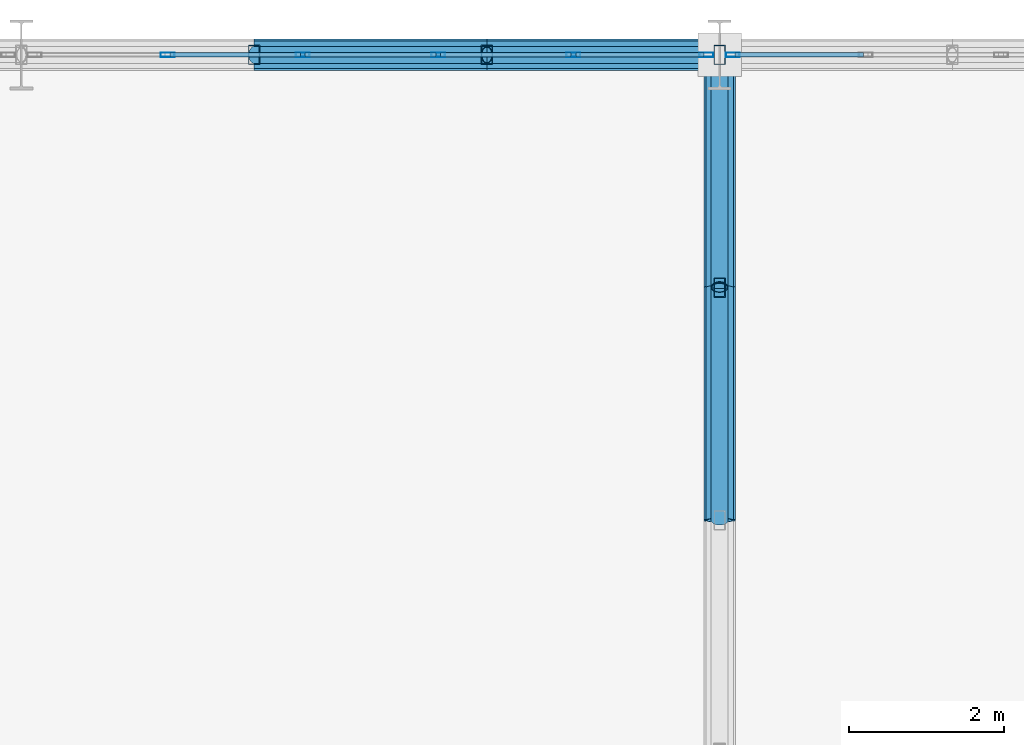
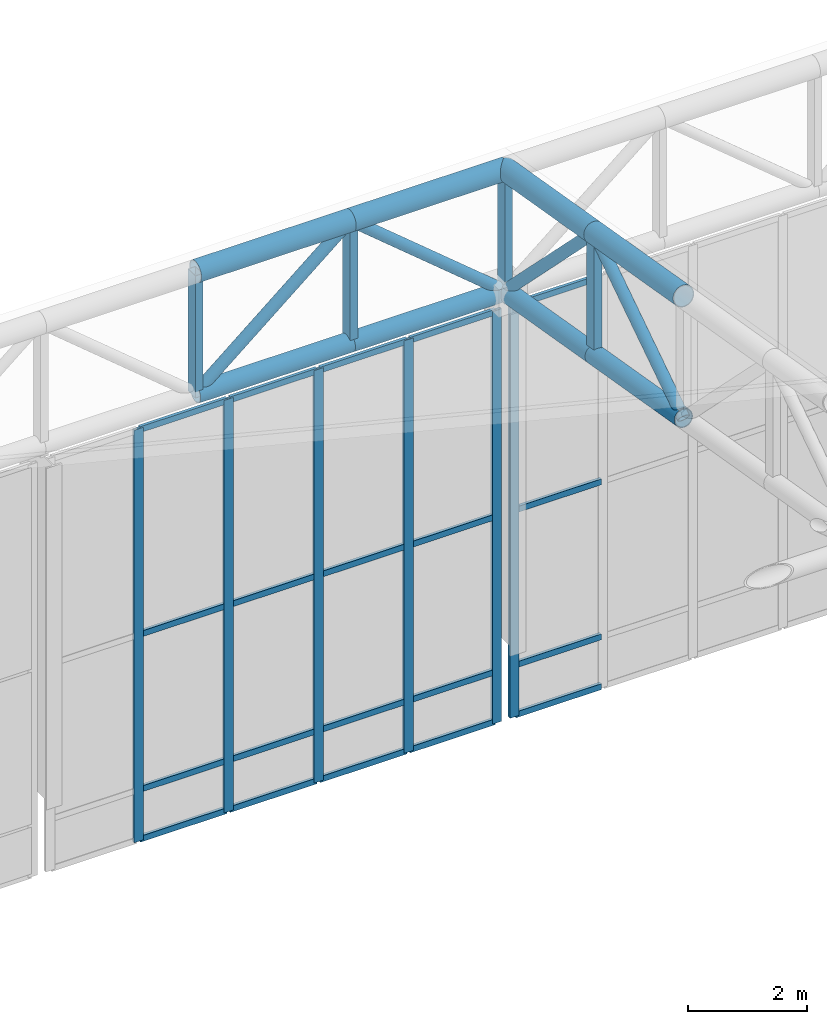
# One storey, part 123 of 239: 42 members, 2 elements without a shape of their own.
"""IFC4 building model written with IfcOpenShell, lengths in metres."""

from ifc_helpers import new_model, si_unit, direction, frame, origin, origin_2d, place, context, subcontext, project, spatial, hollow_rectangle, hollow_circle, extrude, material, material_profile, profile_set, type_object, element, aggregate, save


model = new_model("IFC4")

# Units and contexts
model_context = context("Model", 3, precision=1e-05, world=origin(), true_north=direction((0.0, 1.0)))
body_context = subcontext(model_context, "Body", "Model", "MODEL_VIEW")
ifc_project = project(units=[si_unit("LENGTHUNIT", "METRE"), si_unit("AREAUNIT", "SQUARE_METRE"), si_unit("VOLUMEUNIT", "CUBIC_METRE"), si_unit("PLANEANGLEUNIT", "RADIAN"), si_unit("MASSUNIT", "GRAM", prefix="KILO")], contexts=[model_context])

# Site, building, storey
site_placement = place(None, origin())
site = spatial("IfcSite", under=ifc_project, at=site_placement, CompositionType="ELEMENT")
building_placement = place(site_placement, origin())
building = spatial("IfcBuilding", under=site, at=building_placement, Name="Kaldris Quays Convention Centre", CompositionType="ELEMENT")
storey_placement = place(building_placement, frame((0.0, 0.0, 11.39990234375)))
storey = spatial("IfcBuildingStorey", under=building, at=storey_placement, Name="L02", CompositionType="ELEMENT", Elevation=11.39990234375)

# Curtain wall, members
ifc_material_1 = material(Name="Anodized aluminium AW-6060 and triple glazing", Category="aluminium")
curtain_wall_type = type_object("IfcCurtainWallType", Name="UNITISED CURTAIN WALL CW03", PredefinedType="NOTDEFINED", material=ifc_material_1)
curtain_wall_1_placement = place(storey_placement, origin())
curtain_wall_1 = element("IfcCurtainWall", 1, at=curtain_wall_1_placement, inside=storey, type_object=curtain_wall_type, Name="L02 Unitised Curtain Wall CW03 242", PredefinedType="NOTDEFINED")
ifc_material_2 = material(Name="Anodized aluminium AW-6060", Category="aluminium")
ifc_material_profile_1 = material_profile(ifc_material_2, hollow_rectangle(XDim=0.06005859375, YDim=0.179931640625, WallThickness=0.0048828125, at=origin_2d()), Name="RHS 180x60x5")
ifc_profile_set_1 = profile_set([ifc_material_profile_1], Name="Anodized aluminium AW-6060")
member_type_1 = type_object("IfcMemberType", Name="CURTAIN MULLION CWM2", PredefinedType="MULLION", material=ifc_profile_set_1)
member_1_placement = place(storey_placement, frame((84.884033203125, 140.0, -1.60498046875), z_axis=(0.0, 0.0, 1.0), x_axis=(0.0, 1.0, 0.0)))
member_1 = element("IfcMember", 2, at=member_1_placement, type_object=member_type_1, Name="CW03 mullion 2", PredefinedType="MULLION", context=body_context, shape_type="SweptSolid", body=[
    extrude(hollow_rectangle(XDim=0.06005859375, YDim=0.179931640625, WallThickness=0.0048828125, at=origin_2d()), origin(), (0.0, 0.0, 1.0), 8.455078125),
])
member_2_placement = place(storey_placement, frame((86.6279296875, 140.0, -1.60498046875), z_axis=(0.0, 0.0, 1.0), x_axis=(0.0, 1.0, 0.0)))
member_2 = element("IfcMember", 3, at=member_2_placement, type_object=member_type_1, Name="CW03 mullion 3", PredefinedType="MULLION", context=body_context, shape_type="SweptSolid", body=[
    extrude(hollow_rectangle(XDim=0.06005859375, YDim=0.179931640625, WallThickness=0.0048828125, at=origin_2d()), origin(), (0.0, 0.0, 1.0), 8.455078125),
])
member_3_placement = place(storey_placement, frame((88.3720703125, 140.0, -1.60498046875), z_axis=(0.0, 0.0, 1.0), x_axis=(0.0, 1.0, 0.0)))
member_3 = element("IfcMember", 4, at=member_3_placement, type_object=member_type_1, Name="CW03 mullion 4", PredefinedType="MULLION", context=body_context, shape_type="SweptSolid", body=[
    extrude(hollow_rectangle(XDim=0.06005859375, YDim=0.179931640625, WallThickness=0.0048828125, at=origin_2d()), origin(), (0.0, 0.0, 1.0), 8.455078125),
])
member_4_placement = place(storey_placement, frame((90.115966796875, 140.0, -1.60498046875), z_axis=(0.0, 0.0, 1.0), x_axis=(0.0, 1.0, 0.0)))
member_4 = element("IfcMember", 5, at=member_4_placement, type_object=member_type_1, Name="CW03 mullion 5", PredefinedType="MULLION", context=body_context, shape_type="SweptSolid", body=[
    extrude(hollow_rectangle(XDim=0.06005859375, YDim=0.179931640625, WallThickness=0.0048828125, at=origin_2d()), origin(), (0.0, 0.0, 1.0), 8.455078125),
])
member_5_placement = place(storey_placement, frame((91.830078125, 140.0, -1.60498046875), z_axis=(0.0, 0.0, 1.0), x_axis=(0.0, 1.0, 0.0)))
member_5 = element("IfcMember", 6, at=member_5_placement, type_object=member_type_1, Name="CW03 mullion 6", PredefinedType="MULLION", context=body_context, shape_type="SweptSolid", body=[
    extrude(hollow_rectangle(XDim=0.06005859375, YDim=0.179931640625, WallThickness=0.0048828125, at=origin_2d()), origin(), (0.0, 0.0, 1.0), 8.455078125),
])

# Curtain wall, member
curtain_wall_2_placement = place(storey_placement, origin())
curtain_wall_2 = element("IfcCurtainWall", 7, at=curtain_wall_2_placement, inside=storey, type_object=curtain_wall_type, Name="L02 Unitised Curtain Wall CW03 244", PredefinedType="NOTDEFINED")
member_6_placement = place(storey_placement, frame((92.169921875, 140.0, -1.60498046875), z_axis=(0.0, 0.0, 1.0), x_axis=(0.0, 1.0, 0.0)))
member_6 = element("IfcMember", 8, at=member_6_placement, type_object=member_type_1, Name="CW03 mullion 1", PredefinedType="MULLION", context=body_context, shape_type="SweptSolid", body=[
    extrude(hollow_rectangle(XDim=0.06005859375, YDim=0.179931640625, WallThickness=0.0048828125, at=origin_2d()), origin(), (0.0, 0.0, 1.0), 8.455078125),
])

# Member
ifc_material_profile_2 = material_profile(ifc_material_2, hollow_rectangle(XDim=0.06005859375, YDim=0.1201171875, WallThickness=0.00390625, at=origin_2d()), Name="RHS 120x60x4")
ifc_profile_set_2 = profile_set([ifc_material_profile_2], Name="Anodized aluminium AW-6060")
member_type_2 = type_object("IfcMemberType", Name="CURTAIN TRANSOM CWT1", PredefinedType="USERDEFINED", material=ifc_profile_set_2)
member_7_placement = place(storey_placement, frame((84.9140625, 140.0, -1.574951171875), z_axis=(1.0, 0.0, 0.0), x_axis=(0.0, 1.0, 0.0)))
member_7 = element("IfcMember", 9, at=member_7_placement, type_object=member_type_2, Name="CW03 transom 2.1", ObjectType="TRANSOM", PredefinedType="USERDEFINED", context=body_context, shape_type="SweptSolid", body=[
    extrude(hollow_rectangle(XDim=0.06005859375, YDim=0.1201171875, WallThickness=0.00390625, at=origin_2d()), origin(), (0.0, 0.0, 1.0), 1.683837890625),
])

member_8_placement = place(storey_placement, frame((84.9140625, 140.0, -0.554931640625), z_axis=(1.0, 0.0, 0.0), x_axis=(0.0, 1.0, 0.0)))
member_8 = element("IfcMember", 10, at=member_8_placement, type_object=member_type_2, Name="CW03 transom 2.2", ObjectType="TRANSOM", PredefinedType="USERDEFINED", context=body_context, shape_type="SweptSolid", body=[
    extrude(hollow_rectangle(XDim=0.06005859375, YDim=0.1201171875, WallThickness=0.00390625, at=origin_2d()), origin(), (0.0, 0.0, 1.0), 1.683837890625),
])

member_9_placement = place(storey_placement, frame((84.9140625, 140.0, 2.623046875), z_axis=(1.0, 0.0, 0.0), x_axis=(0.0, 1.0, 0.0)))
member_9 = element("IfcMember", 11, at=member_9_placement, type_object=member_type_2, Name="CW03 transom 2.3", ObjectType="TRANSOM", PredefinedType="USERDEFINED", context=body_context, shape_type="SweptSolid", body=[
    extrude(hollow_rectangle(XDim=0.06005859375, YDim=0.1201171875, WallThickness=0.00390625, at=origin_2d()), origin(), (0.0, 0.0, 1.0), 1.683837890625),
])

member_10_placement = place(storey_placement, frame((84.9140625, 140.0, 6.820068359375), z_axis=(1.0, 0.0, 0.0), x_axis=(0.0, 1.0, 0.0)))
member_10 = element("IfcMember", 12, at=member_10_placement, type_object=member_type_2, Name="CW03 transom 2.4", ObjectType="TRANSOM", PredefinedType="USERDEFINED", context=body_context, shape_type="SweptSolid", body=[
    extrude(hollow_rectangle(XDim=0.06005859375, YDim=0.1201171875, WallThickness=0.00390625, at=origin_2d()), origin(), (0.0, 0.0, 1.0), 1.683837890625),
])

member_11_placement = place(storey_placement, frame((86.657958984375, 140.0, -1.574951171875), z_axis=(1.0, 0.0, 0.0), x_axis=(0.0, 1.0, 0.0)))
member_11 = element("IfcMember", 13, at=member_11_placement, type_object=member_type_2, Name="CW03 transom 3.1", ObjectType="TRANSOM", PredefinedType="USERDEFINED", context=body_context, shape_type="SweptSolid", body=[
    extrude(hollow_rectangle(XDim=0.06005859375, YDim=0.1201171875, WallThickness=0.00390625, at=origin_2d()), origin(), (0.0, 0.0, 1.0), 1.68408203125),
])

member_12_placement = place(storey_placement, frame((86.657958984375, 140.0, -0.554931640625), z_axis=(1.0, 0.0, 0.0), x_axis=(0.0, 1.0, 0.0)))
member_12 = element("IfcMember", 14, at=member_12_placement, type_object=member_type_2, Name="CW03 transom 3.2", ObjectType="TRANSOM", PredefinedType="USERDEFINED", context=body_context, shape_type="SweptSolid", body=[
    extrude(hollow_rectangle(XDim=0.06005859375, YDim=0.1201171875, WallThickness=0.00390625, at=origin_2d()), origin(), (0.0, 0.0, 1.0), 1.68408203125),
])

member_13_placement = place(storey_placement, frame((86.657958984375, 140.0, 2.623046875), z_axis=(1.0, 0.0, 0.0), x_axis=(0.0, 1.0, 0.0)))
member_13 = element("IfcMember", 15, at=member_13_placement, type_object=member_type_2, Name="CW03 transom 3.3", ObjectType="TRANSOM", PredefinedType="USERDEFINED", context=body_context, shape_type="SweptSolid", body=[
    extrude(hollow_rectangle(XDim=0.06005859375, YDim=0.1201171875, WallThickness=0.00390625, at=origin_2d()), origin(), (0.0, 0.0, 1.0), 1.68408203125),
])

member_14_placement = place(storey_placement, frame((86.657958984375, 140.0, 6.820068359375), z_axis=(1.0, 0.0, 0.0), x_axis=(0.0, 1.0, 0.0)))
member_14 = element("IfcMember", 16, at=member_14_placement, type_object=member_type_2, Name="CW03 transom 3.4", ObjectType="TRANSOM", PredefinedType="USERDEFINED", context=body_context, shape_type="SweptSolid", body=[
    extrude(hollow_rectangle(XDim=0.06005859375, YDim=0.1201171875, WallThickness=0.00390625, at=origin_2d()), origin(), (0.0, 0.0, 1.0), 1.68408203125),
])

member_15_placement = place(storey_placement, frame((88.402099609375, 140.0, -1.574951171875), z_axis=(1.0, 0.0, 0.0), x_axis=(0.0, 1.0, 0.0)))
member_15 = element("IfcMember", 17, at=member_15_placement, type_object=member_type_2, Name="CW03 transom 4.1", ObjectType="TRANSOM", PredefinedType="USERDEFINED", context=body_context, shape_type="SweptSolid", body=[
    extrude(hollow_rectangle(XDim=0.06005859375, YDim=0.1201171875, WallThickness=0.00390625, at=origin_2d()), origin(), (0.0, 0.0, 1.0), 1.683837890625),
])

member_16_placement = place(storey_placement, frame((88.402099609375, 140.0, -0.554931640625), z_axis=(1.0, 0.0, 0.0), x_axis=(0.0, 1.0, 0.0)))
member_16 = element("IfcMember", 18, at=member_16_placement, type_object=member_type_2, Name="CW03 transom 4.2", ObjectType="TRANSOM", PredefinedType="USERDEFINED", context=body_context, shape_type="SweptSolid", body=[
    extrude(hollow_rectangle(XDim=0.06005859375, YDim=0.1201171875, WallThickness=0.00390625, at=origin_2d()), origin(), (0.0, 0.0, 1.0), 1.683837890625),
])

member_17_placement = place(storey_placement, frame((88.402099609375, 140.0, 2.623046875), z_axis=(1.0, 0.0, 0.0), x_axis=(0.0, 1.0, 0.0)))
member_17 = element("IfcMember", 19, at=member_17_placement, type_object=member_type_2, Name="CW03 transom 4.3", ObjectType="TRANSOM", PredefinedType="USERDEFINED", context=body_context, shape_type="SweptSolid", body=[
    extrude(hollow_rectangle(XDim=0.06005859375, YDim=0.1201171875, WallThickness=0.00390625, at=origin_2d()), origin(), (0.0, 0.0, 1.0), 1.683837890625),
])

member_18_placement = place(storey_placement, frame((88.402099609375, 140.0, 6.820068359375), z_axis=(1.0, 0.0, 0.0), x_axis=(0.0, 1.0, 0.0)))
member_18 = element("IfcMember", 20, at=member_18_placement, type_object=member_type_2, Name="CW03 transom 4.4", ObjectType="TRANSOM", PredefinedType="USERDEFINED", context=body_context, shape_type="SweptSolid", body=[
    extrude(hollow_rectangle(XDim=0.06005859375, YDim=0.1201171875, WallThickness=0.00390625, at=origin_2d()), origin(), (0.0, 0.0, 1.0), 1.683837890625),
])

member_19_placement = place(storey_placement, frame((90.14599609375, 140.0, -1.574951171875), z_axis=(1.0, 0.0, 0.0), x_axis=(0.0, 1.0, 0.0)))
member_19 = element("IfcMember", 21, at=member_19_placement, type_object=member_type_2, Name="CW03 transom 5.1", ObjectType="TRANSOM", PredefinedType="USERDEFINED", context=body_context, shape_type="SweptSolid", body=[
    extrude(hollow_rectangle(XDim=0.06005859375, YDim=0.1201171875, WallThickness=0.00390625, at=origin_2d()), origin(), (0.0, 0.0, 1.0), 1.654052734375),
])

member_20_placement = place(storey_placement, frame((90.14599609375, 140.0, -0.554931640625), z_axis=(1.0, 0.0, 0.0), x_axis=(0.0, 1.0, 0.0)))
member_20 = element("IfcMember", 22, at=member_20_placement, type_object=member_type_2, Name="CW03 transom 5.2", ObjectType="TRANSOM", PredefinedType="USERDEFINED", context=body_context, shape_type="SweptSolid", body=[
    extrude(hollow_rectangle(XDim=0.06005859375, YDim=0.1201171875, WallThickness=0.00390625, at=origin_2d()), origin(), (0.0, 0.0, 1.0), 1.654052734375),
])

member_21_placement = place(storey_placement, frame((90.14599609375, 140.0, 2.623046875), z_axis=(1.0, 0.0, 0.0), x_axis=(0.0, 1.0, 0.0)))
member_21 = element("IfcMember", 23, at=member_21_placement, type_object=member_type_2, Name="CW03 transom 5.3", ObjectType="TRANSOM", PredefinedType="USERDEFINED", context=body_context, shape_type="SweptSolid", body=[
    extrude(hollow_rectangle(XDim=0.06005859375, YDim=0.1201171875, WallThickness=0.00390625, at=origin_2d()), origin(), (0.0, 0.0, 1.0), 1.654052734375),
])

member_22_placement = place(storey_placement, frame((90.14599609375, 140.0, 6.820068359375), z_axis=(1.0, 0.0, 0.0), x_axis=(0.0, 1.0, 0.0)))
member_22 = element("IfcMember", 24, at=member_22_placement, type_object=member_type_2, Name="CW03 transom 5.4", ObjectType="TRANSOM", PredefinedType="USERDEFINED", context=body_context, shape_type="SweptSolid", body=[
    extrude(hollow_rectangle(XDim=0.06005859375, YDim=0.1201171875, WallThickness=0.00390625, at=origin_2d()), origin(), (0.0, 0.0, 1.0), 1.654052734375),
])

aggregate(curtain_wall_1, [member_1, member_2, member_3, member_4, member_5, member_7, member_8, member_9, member_10, member_11, member_12, member_13, member_14, member_15, member_16, member_17, member_18, member_19, member_20, member_21, member_22])

member_23_placement = place(storey_placement, frame((92.199951171875, 140.0, -1.574951171875), z_axis=(1.0, 0.0, 0.0), x_axis=(0.0, 1.0, 0.0)))
member_23 = element("IfcMember", 25, at=member_23_placement, type_object=member_type_2, Name="CW03 transom 1.1", ObjectType="TRANSOM", PredefinedType="USERDEFINED", context=body_context, shape_type="SweptSolid", body=[
    extrude(hollow_rectangle(XDim=0.06005859375, YDim=0.1201171875, WallThickness=0.00390625, at=origin_2d()), origin(), (0.0, 0.0, 1.0), 1.654052734375),
])

member_24_placement = place(storey_placement, frame((92.199951171875, 140.0, -0.554931640625), z_axis=(1.0, 0.0, 0.0), x_axis=(0.0, 1.0, 0.0)))
member_24 = element("IfcMember", 26, at=member_24_placement, type_object=member_type_2, Name="CW03 transom 1.2", ObjectType="TRANSOM", PredefinedType="USERDEFINED", context=body_context, shape_type="SweptSolid", body=[
    extrude(hollow_rectangle(XDim=0.06005859375, YDim=0.1201171875, WallThickness=0.00390625, at=origin_2d()), origin(), (0.0, 0.0, 1.0), 1.654052734375),
])

member_25_placement = place(storey_placement, frame((92.199951171875, 140.0, 2.623046875), z_axis=(1.0, 0.0, 0.0), x_axis=(0.0, 1.0, 0.0)))
member_25 = element("IfcMember", 27, at=member_25_placement, type_object=member_type_2, Name="CW03 transom 1.3", ObjectType="TRANSOM", PredefinedType="USERDEFINED", context=body_context, shape_type="SweptSolid", body=[
    extrude(hollow_rectangle(XDim=0.06005859375, YDim=0.1201171875, WallThickness=0.00390625, at=origin_2d()), origin(), (0.0, 0.0, 1.0), 1.654052734375),
])

member_26_placement = place(storey_placement, frame((92.199951171875, 140.0, 6.820068359375), z_axis=(1.0, 0.0, 0.0), x_axis=(0.0, 1.0, 0.0)))
member_26 = element("IfcMember", 28, at=member_26_placement, type_object=member_type_2, Name="CW03 transom 1.4", ObjectType="TRANSOM", PredefinedType="USERDEFINED", context=body_context, shape_type="SweptSolid", body=[
    extrude(hollow_rectangle(XDim=0.06005859375, YDim=0.1201171875, WallThickness=0.00390625, at=origin_2d()), origin(), (0.0, 0.0, 1.0), 1.654052734375),
])

aggregate(curtain_wall_2, [member_6, member_23, member_24, member_25, member_26])

# Members
ifc_material_3 = material(Name="Steel S355J2H", Category="steel")
ifc_material_profile_3 = material_profile(ifc_material_3, hollow_circle(Radius=0.203125, WallThickness=0.01611328125, at=origin_2d()), Name="CHS 406.4x16")
ifc_profile_set_3 = profile_set([ifc_material_profile_3], Name="Steel S355J2H")
member_type_3 = type_object("IfcMemberType", Name="STRUCTURAL MEMBER SC01", PredefinedType="CHORD", material=ifc_profile_set_3)
for number, where, z_axis, x_axis, name in (
    (29, (86.0, 140.0, 9.671875), (1.0, 0.0, 0.0), (0.0, 1.0, 0.0), "SF-V1 Top Chord X 317"),
    (30, (89.0, 140.0, 9.671875), (1.0, 0.0, 0.0), (0.0, 1.0, 0.0), "SF-V1 Top Chord X 318"),
):
    element("IfcMember", number, at=place(storey_placement, frame(where, z_axis=z_axis, x_axis=x_axis)), inside=storey, type_object=member_type_3, Name=name, PredefinedType="CHORD", context=body_context, shape_type="SweptSolid", body=[
        extrude(hollow_circle(Radius=0.203125, WallThickness=0.01611328125, at=origin_2d()), origin(), (0.0, 0.0, 1.0), 3.0),
    ])
for number, where, z_axis, x_axis, name in (
    (31, (92.0, 134.0, 10.700439453125), (0.0, 0.98562912375, -0.168923741424), (-1.0, 0.0, 0.0), "SF-V1 Top Chord Y 475"),
    (32, (92.0, 137.0, 10.186279296875), (0.0, 0.985615766076, -0.169001661712), (-1.0, 0.0, 0.0), "SF-V1 Top Chord Y 476"),
):
    element("IfcMember", number, at=place(storey_placement, frame(where, z_axis=z_axis, x_axis=x_axis)), inside=storey, type_object=member_type_3, Name=name, PredefinedType="CHORD", context=body_context, shape_type="SweptSolid", body=[
        extrude(hollow_circle(Radius=0.203125, WallThickness=0.01611328125, at=origin_2d()), origin(), (0.0, 0.0, 1.0), 3.043701171875),
    ])
ifc_material_profile_4 = material_profile(ifc_material_3, hollow_circle(Radius=0.177734375, WallThickness=0.01611328125, at=origin_2d()), Name="CHS 355.6x16")
ifc_profile_set_4 = profile_set([ifc_material_profile_4], Name="Steel S355J2H")
member_type_4 = type_object("IfcMemberType", Name="STRUCTURAL MEMBER SC02", PredefinedType="CHORD", material=ifc_profile_set_4)
for number, where, z_axis, x_axis, name in (
    (33, (86.0, 140.0, 7.171875), (1.0, 0.0, 0.0), (0.0, 1.0, 0.0), "SF-V1 Bottom Chord X 317"),
    (34, (89.0, 140.0, 7.171875), (1.0, 0.0, 0.0), (0.0, 1.0, 0.0), "SF-V1 Bottom Chord X 318"),
):
    element("IfcMember", number, at=place(storey_placement, frame(where, z_axis=z_axis, x_axis=x_axis)), inside=storey, type_object=member_type_4, Name=name, PredefinedType="CHORD", context=body_context, shape_type="SweptSolid", body=[
        extrude(hollow_circle(Radius=0.177734375, WallThickness=0.01611328125, at=origin_2d()), origin(), (0.0, 0.0, 1.0), 3.0),
    ])
for number, where, z_axis, x_axis, name in (
    (35, (92.0, 134.0, 8.200439453125), (0.0, 0.98562912375, -0.168923741424), (-1.0, 0.0, 0.0), "SF-V1 Bottom Chord Y 475"),
    (36, (92.0, 137.0, 7.686279296875), (0.0, 0.985615766076, -0.169001661712), (-1.0, 0.0, 0.0), "SF-V1 Bottom Chord Y 476"),
):
    element("IfcMember", number, at=place(storey_placement, frame(where, z_axis=z_axis, x_axis=x_axis)), inside=storey, type_object=member_type_4, Name=name, PredefinedType="CHORD", context=body_context, shape_type="SweptSolid", body=[
        extrude(hollow_circle(Radius=0.177734375, WallThickness=0.01611328125, at=origin_2d()), origin(), (0.0, 0.0, 1.0), 3.043701171875),
    ])
ifc_material_profile_5 = material_profile(ifc_material_3, hollow_circle(Radius=0.109619140625, WallThickness=0.010009765625, at=origin_2d()), Name="CHS 219.1x10")
ifc_profile_set_5 = profile_set([ifc_material_profile_5], Name="Steel S355J2H")
member_type_5 = type_object("IfcMemberType", Name="STRUCTURAL MEMBER SWB1", PredefinedType="BRACE", material=ifc_profile_set_5)
for number, where, z_axis, x_axis, name in (
    (37, (86.0, 140.0, 7.171875), (0.768221279597, 0.0, 0.640184399664), (0.0, 1.0, 0.0), "SF-V1 Web Diagonal X 317"),
    (38, (92.0, 140.0, 7.171875), (-0.768221279597, 0.0, 0.640184399664), (0.0, -1.0, 0.0), "SF-V1 Web Diagonal X 318"),
):
    element("IfcMember", number, at=place(storey_placement, frame(where, z_axis=z_axis, x_axis=x_axis)), inside=storey, type_object=member_type_5, Name=name, PredefinedType="BRACE", context=body_context, shape_type="SweptSolid", body=[
        extrude(hollow_circle(Radius=0.109619140625, WallThickness=0.010009765625, at=origin_2d()), origin(), (0.0, 0.0, 1.0), 3.905029296875),
    ])
member_27_placement = place(storey_placement, frame((92.0, 134.0, 8.200439453125), z_axis=(0.0, 0.833862389808, 0.551972385962), x_axis=(-1.0, 0.0, 0.0)))
element("IfcMember", 39, at=member_27_placement, inside=storey, type_object=member_type_5, Name="SF-V1 Web Diagonal Y 475", PredefinedType="BRACE", context=body_context, shape_type="SweptSolid", body=[
    extrude(hollow_circle(Radius=0.109619140625, WallThickness=0.010009765625, at=origin_2d()), origin(), (0.0, 0.0, 1.0), 3.59765625),
])
member_28_placement = place(storey_placement, frame((92.0, 140.0, 7.171875), z_axis=(0.0, -0.705411261057, 0.708798245465), x_axis=(1.0, 0.0, 0.0)))
element("IfcMember", 40, at=member_28_placement, inside=storey, type_object=member_type_5, Name="SF-V1 Web Diagonal Y 476", PredefinedType="BRACE", context=body_context, shape_type="SweptSolid", body=[
    extrude(hollow_circle(Radius=0.109619140625, WallThickness=0.010009765625, at=origin_2d()), origin(), (0.0, 0.0, 1.0), 4.2529296875),
])
ifc_material_profile_6 = material_profile(ifc_material_3, hollow_rectangle(XDim=0.14990234375, YDim=0.25, WallThickness=0.010009765625, at=origin_2d()), Name="RHS 250x150x10")
ifc_profile_set_6 = profile_set([ifc_material_profile_6], Name="Steel S355J2H")
member_type_6 = type_object("IfcMemberType", Name="STRUCTURAL MEMBER TTV1", PredefinedType="POST", material=ifc_profile_set_6)
for number, where, z_axis, x_axis, name in (
    (41, (86.0, 140.0, 7.171875), (0.0, 0.0, 1.0), (1.0, 0.0, 0.0), "SF-V1 Space-Frame Post 268"),
    (42, (89.0, 140.0, 7.171875), (0.0, 0.0, 1.0), (1.0, 0.0, 0.0), "SF-V1 Space-Frame Post 276"),
    (43, (92.0, 137.0, 7.686279296875), (0.0, 0.0, 1.0), (1.0, 0.0, 0.0), "SF-V1 Space-Frame Post 304"),
):
    element("IfcMember", number, at=place(storey_placement, frame(where, z_axis=z_axis, x_axis=x_axis)), inside=storey, type_object=member_type_6, Name=name, PredefinedType="POST", context=body_context, shape_type="SweptSolid", body=[
        extrude(hollow_rectangle(XDim=0.14990234375, YDim=0.25, WallThickness=0.010009765625, at=origin_2d()), origin(), (0.0, 0.0, 1.0), 2.5),
    ])
member_29_placement = place(storey_placement, frame((92.0, 140.0, 6.994140625), z_axis=(0.0, 0.0, 1.0), x_axis=(1.0, 0.0, 0.0)))
element("IfcMember", 44, at=member_29_placement, inside=storey, type_object=member_type_6, Name="SF-V1 Space-Frame Post 305", PredefinedType="POST", context=body_context, shape_type="SweptSolid", body=[
    extrude(hollow_rectangle(XDim=0.14990234375, YDim=0.25, WallThickness=0.010009765625, at=origin_2d()), origin(), (0.0, 0.0, 1.0), 2.677734375),
])

save(model, "model.ifc")
